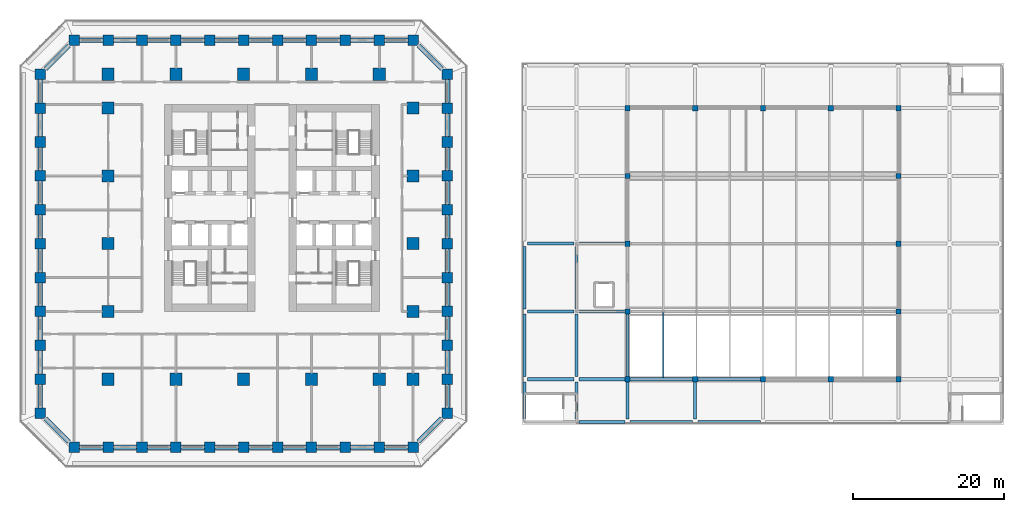
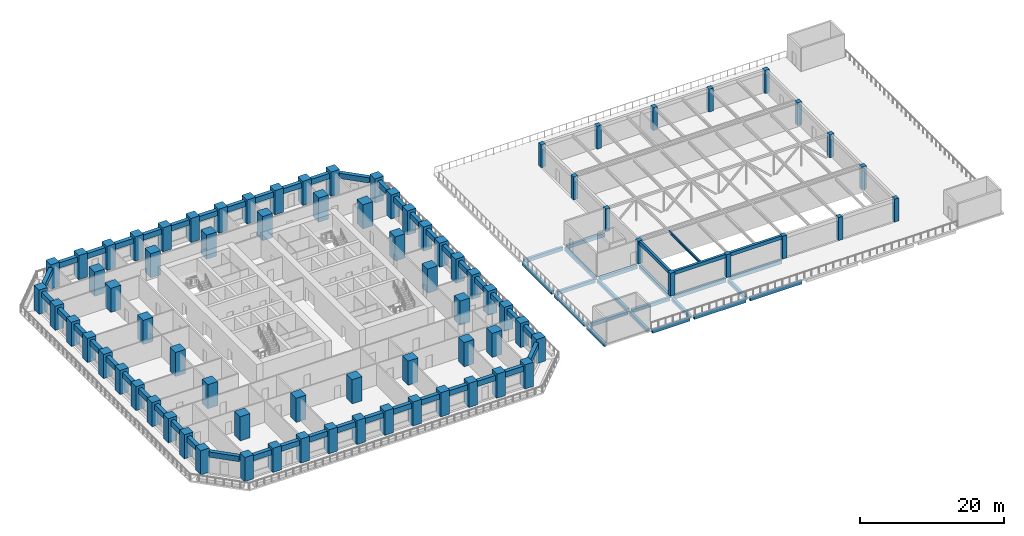
# One storey, part 1 of 30: 79 columns, 68 beams.
"""IFC4 building model written with IfcOpenShell, lengths in metres."""

from ifc_helpers import new_model, si_unit, direction, frame, origin, origin_2d, place, context, subcontext, project, spatial, rectangle, i_section, extrude, material, material_profile, profile_set, type_object, element, save


model = new_model("IFC4")

# Units and contexts
model_context = context("Model", 3, precision=1e-05, world=origin(), true_north=direction((0.0, 1.0)))
body_context = subcontext(model_context, "Body", "Model", "MODEL_VIEW")
ifc_project = project(units=[si_unit("LENGTHUNIT", "METRE"), si_unit("AREAUNIT", "SQUARE_METRE"), si_unit("VOLUMEUNIT", "CUBIC_METRE"), si_unit("PLANEANGLEUNIT", "RADIAN"), si_unit("MASSUNIT", "GRAM", prefix="KILO")], contexts=[model_context])

# Site, building, storey
site_placement = place(None, origin())
site = spatial("IfcSite", under=ifc_project, at=site_placement, CompositionType="ELEMENT")
building_placement = place(site_placement, origin())
building = spatial("IfcBuilding", under=site, at=building_placement, Name="Corbel Stack Research Tower", CompositionType="ELEMENT")
storey_placement = place(building_placement, frame((0.0, 0.0, 19.5)))
storey = spatial("IfcBuildingStorey", under=building, at=storey_placement, Name="L04", CompositionType="ELEMENT", Elevation=19.5)

# Columns
ifc_material_1 = material(Name="Concrete C70/85", Category="concrete")
ifc_material_profile_1 = material_profile(ifc_material_1, rectangle(XDim=1.39990234375, YDim=1.39990234375, at=origin_2d()), Name="RC 1400 x 1400")
ifc_profile_set_1 = profile_set([ifc_material_profile_1], Name="Concrete C70/85")
column_type_1 = type_object("IfcColumnType", Name="C-1400-70", PredefinedType="COLUMN", material=ifc_profile_set_1)
for number, where, z_axis, x_axis, name in (
    (1, (-27.0, -22.5, 0.0), (0.0, 0.0, 1.0), (1.0, 0.0, 0.0), "Column 2/C L04"),
    (2, (-27.0, -18.0, 0.0), (0.0, 0.0, 1.0), (1.0, 0.0, 0.0), "Column 2/D L04"),
    (3, (-27.0, -13.5, 0.0), (0.0, 0.0, 1.0), (1.0, 0.0, 0.0), "Column 2/E L04"),
    (4, (-27.0, -9.0, 0.0), (0.0, 0.0, 1.0), (1.0, 0.0, 0.0), "Column 2/F L04"),
    (5, (-27.0, -4.5, 0.0), (0.0, 0.0, 1.0), (1.0, 0.0, 0.0), "Column 2/G L04"),
    (6, (-27.0, 0.0, 0.0), (0.0, 0.0, 1.0), (1.0, 0.0, 0.0), "Column 2/H L04"),
    (7, (-27.0, 4.5, 0.0), (0.0, 0.0, 1.0), (1.0, 0.0, 0.0), "Column 2/J L04"),
    (8, (-27.0, 9.0, 0.0), (0.0, 0.0, 1.0), (1.0, 0.0, 0.0), "Column 2/K L04"),
    (9, (-27.0, 13.5, 0.0), (0.0, 0.0, 1.0), (1.0, 0.0, 0.0), "Column 2/L L04"),
    (10, (-27.0, 18.0, 0.0), (0.0, 0.0, 1.0), (1.0, 0.0, 0.0), "Column 2/M L04"),
    (11, (-27.0, 22.5, 0.0), (0.0, 0.0, 1.0), (1.0, 0.0, 0.0), "Column 2/N L04"),
    (12, (-22.5, -27.0, 0.0), (0.0, 0.0, 1.0), (1.0, 0.0, 0.0), "Column 3/B L04"),
    (13, (-22.5, 27.0, 0.0), (0.0, 0.0, 1.0), (1.0, 0.0, 0.0), "Column 3/P L04"),
    (14, (-18.0, -27.0, 0.0), (0.0, 0.0, 1.0), (1.0, 0.0, 0.0), "Column 4/B L04"),
    (15, (-18.0, 27.0, 0.0), (0.0, 0.0, 1.0), (1.0, 0.0, 0.0), "Column 4/P L04"),
    (16, (-13.5, -27.0, 0.0), (0.0, 0.0, 1.0), (1.0, 0.0, 0.0), "Column 5/B L04"),
    (17, (-13.5, 27.0, 0.0), (0.0, 0.0, 1.0), (1.0, 0.0, 0.0), "Column 5/P L04"),
    (18, (-9.0, -27.0, 0.0), (0.0, 0.0, 1.0), (1.0, 0.0, 0.0), "Column 6/B L04"),
    (19, (-9.0, 27.0, 0.0), (0.0, 0.0, 1.0), (1.0, 0.0, 0.0), "Column 6/P L04"),
    (20, (-4.5, -27.0, 0.0), (0.0, 0.0, 1.0), (1.0, 0.0, 0.0), "Column 7/B L04"),
    (21, (-4.5, 27.0, 0.0), (0.0, 0.0, 1.0), (1.0, 0.0, 0.0), "Column 7/P L04"),
    (22, (0.0, -27.0, 0.0), (0.0, 0.0, 1.0), (1.0, 0.0, 0.0), "Column 8/B L04"),
    (23, (0.0, 27.0, 0.0), (0.0, 0.0, 1.0), (1.0, 0.0, 0.0), "Column 8/P L04"),
    (24, (4.5, -27.0, 0.0), (0.0, 0.0, 1.0), (1.0, 0.0, 0.0), "Column 9/B L04"),
    (25, (4.5, 27.0, 0.0), (0.0, 0.0, 1.0), (1.0, 0.0, 0.0), "Column 9/P L04"),
    (26, (9.0, -27.0, 0.0), (0.0, 0.0, 1.0), (1.0, 0.0, 0.0), "Column 10/B L04"),
    (27, (9.0, 27.0, 0.0), (0.0, 0.0, 1.0), (1.0, 0.0, 0.0), "Column 10/P L04"),
    (28, (13.5, -27.0, 0.0), (0.0, 0.0, 1.0), (1.0, 0.0, 0.0), "Column 11/B L04"),
    (29, (13.5, 27.0, 0.0), (0.0, 0.0, 1.0), (1.0, 0.0, 0.0), "Column 11/P L04"),
    (30, (18.0, -27.0, 0.0), (0.0, 0.0, 1.0), (1.0, 0.0, 0.0), "Column 12/B L04"),
    (31, (18.0, 27.0, 0.0), (0.0, 0.0, 1.0), (1.0, 0.0, 0.0), "Column 12/P L04"),
    (32, (22.5, -27.0, 0.0), (0.0, 0.0, 1.0), (1.0, 0.0, 0.0), "Column 13/B L04"),
    (33, (22.5, 27.0, 0.0), (0.0, 0.0, 1.0), (1.0, 0.0, 0.0), "Column 13/P L04"),
    (34, (27.0, -22.5, 0.0), (0.0, 0.0, 1.0), (1.0, 0.0, 0.0), "Column 14/C L04"),
    (35, (27.0, -18.0, 0.0), (0.0, 0.0, 1.0), (1.0, 0.0, 0.0), "Column 14/D L04"),
    (36, (27.0, -13.5, 0.0), (0.0, 0.0, 1.0), (1.0, 0.0, 0.0), "Column 14/E L04"),
    (37, (27.0, -9.0, 0.0), (0.0, 0.0, 1.0), (1.0, 0.0, 0.0), "Column 14/F L04"),
    (38, (27.0, -4.5, 0.0), (0.0, 0.0, 1.0), (1.0, 0.0, 0.0), "Column 14/G L04"),
    (39, (27.0, 0.0, 0.0), (0.0, 0.0, 1.0), (1.0, 0.0, 0.0), "Column 14/H L04"),
    (40, (27.0, 4.5, 0.0), (0.0, 0.0, 1.0), (1.0, 0.0, 0.0), "Column 14/J L04"),
    (41, (27.0, 9.0, 0.0), (0.0, 0.0, 1.0), (1.0, 0.0, 0.0), "Column 14/K L04"),
    (42, (27.0, 13.5, 0.0), (0.0, 0.0, 1.0), (1.0, 0.0, 0.0), "Column 14/L L04"),
    (43, (27.0, 18.0, 0.0), (0.0, 0.0, 1.0), (1.0, 0.0, 0.0), "Column 14/M L04"),
    (44, (27.0, 22.5, 0.0), (0.0, 0.0, 1.0), (1.0, 0.0, 0.0), "Column 14/N L04"),
):
    element("IfcColumn", number, at=place(storey_placement, frame(where, z_axis=z_axis, x_axis=x_axis)), inside=storey, type_object=column_type_1, Name=name, PredefinedType="COLUMN", context=body_context, shape_type="SweptSolid", body=[
        extrude(rectangle(XDim=1.39990234375, YDim=1.39990234375, at=origin_2d()), origin(), (0.0, 0.0, 1.0), 4.10009765625),
    ])
ifc_material_2 = material(Name="Concrete C70/85", Category="concrete")
ifc_material_profile_2 = material_profile(ifc_material_2, rectangle(XDim=1.60009765625, YDim=1.60009765625, at=origin_2d()), Name="RC 1600 x 1600")
ifc_profile_set_2 = profile_set([ifc_material_profile_2], Name="Concrete C70/85")
column_type_2 = type_object("IfcColumnType", Name="C-1600-70", PredefinedType="COLUMN", material=ifc_profile_set_2)
for number, where, z_axis, x_axis, name in (
    (45, (-18.0, -18.0, 0.0), (0.0, 0.0, 1.0), (1.0, 0.0, 0.0), "Column 4/D L04"),
    (46, (-18.0, -9.0, 0.0), (0.0, 0.0, 1.0), (1.0, 0.0, 0.0), "Column 4/F L04"),
    (47, (-18.0, 0.0, 0.0), (0.0, 0.0, 1.0), (1.0, 0.0, 0.0), "Column 4/H L04"),
    (48, (-18.0, 9.0, 0.0), (0.0, 0.0, 1.0), (1.0, 0.0, 0.0), "Column 4/K L04"),
    (49, (-18.0, 18.0, 0.0), (0.0, 0.0, 1.0), (1.0, 0.0, 0.0), "Column 4/M L04"),
    (50, (-18.0, 22.5, 0.0), (0.0, 0.0, 1.0), (1.0, 0.0, 0.0), "Column 4/N L04"),
    (51, (-9.0, -18.0, 0.0), (0.0, 0.0, 1.0), (1.0, 0.0, 0.0), "Column 6/D L04"),
    (52, (-9.0, 22.5, 0.0), (0.0, 0.0, 1.0), (1.0, 0.0, 0.0), "Column 6/N L04"),
    (53, (0.0, -18.0, 0.0), (0.0, 0.0, 1.0), (1.0, 0.0, 0.0), "Column 8/D L04"),
    (54, (0.0, 22.5, 0.0), (0.0, 0.0, 1.0), (1.0, 0.0, 0.0), "Column 8/N L04"),
    (55, (9.0, -18.0, 0.0), (0.0, 0.0, 1.0), (1.0, 0.0, 0.0), "Column 10/D L04"),
    (56, (9.0, 22.5, 0.0), (0.0, 0.0, 1.0), (1.0, 0.0, 0.0), "Column 10/N L04"),
    (57, (18.0, -18.0, 0.0), (0.0, 0.0, 1.0), (1.0, 0.0, 0.0), "Column 12/D L04"),
    (58, (18.0, 22.5, 0.0), (0.0, 0.0, 1.0), (1.0, 0.0, 0.0), "Column 12/N L04"),
    (59, (22.5, -18.0, 0.0), (0.0, 0.0, 1.0), (1.0, 0.0, 0.0), "Column 13/D L04"),
    (60, (22.5, -9.0, 0.0), (0.0, 0.0, 1.0), (1.0, 0.0, 0.0), "Column 13/F L04"),
    (61, (22.5, 0.0, 0.0), (0.0, 0.0, 1.0), (1.0, 0.0, 0.0), "Column 13/H L04"),
    (62, (22.5, 9.0, 0.0), (0.0, 0.0, 1.0), (1.0, 0.0, 0.0), "Column 13/K L04"),
    (63, (22.5, 18.0, 0.0), (0.0, 0.0, 1.0), (1.0, 0.0, 0.0), "Column 13/M L04"),
):
    element("IfcColumn", number, at=place(storey_placement, frame(where, z_axis=z_axis, x_axis=x_axis)), inside=storey, type_object=column_type_2, Name=name, PredefinedType="COLUMN", context=body_context, shape_type="SweptSolid", body=[
        extrude(rectangle(XDim=1.60009765625, YDim=1.60009765625, at=origin_2d()), origin(), (0.0, 0.0, 1.0), 4.10009765625),
    ])
ifc_material_3 = material(Name="Concrete C50/60", Category="concrete")
ifc_material_profile_3 = material_profile(ifc_material_3, rectangle(XDim=0.699951171875, YDim=0.699951171875, at=origin_2d()), Name="RC 700 x 700")
ifc_profile_set_3 = profile_set([ifc_material_profile_3], Name="Concrete C50/60")
column_type_3 = type_object("IfcColumnType", Name="HC1 RC column 700 x 700", PredefinedType="COLUMN", material=ifc_profile_set_3)
for number, where, z_axis, x_axis, name in (
    (64, (50.949951171875, -18.0, 0.0), (0.0, 0.0, 1.0), (1.0, 0.0, 0.0), "Column H3/HB L04"),
    (65, (50.949951171875, -9.0, 0.0), (0.0, 0.0, 1.0), (1.0, 0.0, 0.0), "Column H3/HC L04"),
    (66, (50.949951171875, 0.0, 0.0), (0.0, 0.0, 1.0), (1.0, 0.0, 0.0), "Column H3/HD L04"),
    (67, (50.949951171875, 9.0, 0.0), (0.0, 0.0, 1.0), (1.0, 0.0, 0.0), "Column H3/HE L04"),
    (68, (50.949951171875, 18.0, 0.0), (0.0, 0.0, 1.0), (1.0, 0.0, 0.0), "Column H3/HF L04"),
    (69, (59.949951171875, -18.0, 0.0), (0.0, 0.0, 1.0), (1.0, 0.0, 0.0), "Column H4/HB L04"),
    (70, (59.949951171875, 18.0, 0.0), (0.0, 0.0, 1.0), (1.0, 0.0, 0.0), "Column H4/HF L04"),
    (71, (68.949951171875, -18.0, 0.0), (0.0, 0.0, 1.0), (1.0, 0.0, 0.0), "Column H5/HB L04"),
    (72, (68.949951171875, 18.0, 0.0), (0.0, 0.0, 1.0), (1.0, 0.0, 0.0), "Column H5/HF L04"),
    (73, (77.949951171875, -18.0, 0.0), (0.0, 0.0, 1.0), (1.0, 0.0, 0.0), "Column H6/HB L04"),
    (74, (77.949951171875, 18.0, 0.0), (0.0, 0.0, 1.0), (1.0, 0.0, 0.0), "Column H6/HF L04"),
    (75, (86.949951171875, -18.0, 0.0), (0.0, 0.0, 1.0), (1.0, 0.0, 0.0), "Column H7/HB L04"),
    (76, (86.949951171875, -9.0, 0.0), (0.0, 0.0, 1.0), (1.0, 0.0, 0.0), "Column H7/HC L04"),
    (77, (86.949951171875, 0.0, 0.0), (0.0, 0.0, 1.0), (1.0, 0.0, 0.0), "Column H7/HD L04"),
    (78, (86.949951171875, 9.0, 0.0), (0.0, 0.0, 1.0), (1.0, 0.0, 0.0), "Column H7/HE L04"),
    (79, (86.949951171875, 18.0, 0.0), (0.0, 0.0, 1.0), (1.0, 0.0, 0.0), "Column H7/HF L04"),
):
    element("IfcColumn", number, at=place(storey_placement, frame(where, z_axis=z_axis, x_axis=x_axis)), inside=storey, type_object=column_type_3, Name=name, PredefinedType="COLUMN", context=body_context, shape_type="SweptSolid", body=[
        extrude(rectangle(XDim=0.699951171875, YDim=0.699951171875, at=origin_2d()), origin(), (0.0, 0.0, 1.0), 3.89990234375),
    ])

# Beams
ifc_material_4 = material(Name="Concrete C40/50", Category="concrete")
ifc_material_profile_4 = material_profile(ifc_material_4, rectangle(XDim=0.39990234375, YDim=0.60009765625, at=origin_2d()), Name="RC 400 x 600")
ifc_profile_set_4 = profile_set([ifc_material_profile_4], Name="Concrete C40/50")
beam_type_1 = type_object("IfcBeamType", Name="HB1 RC beam 400 x 600", PredefinedType="BEAM", material=ifc_profile_set_4)
beam_1_placement = place(storey_placement, frame((37.300048828125, -23.300048828125, -0.550048828125), z_axis=(0.0, 1.0, 0.0), x_axis=(-1.0, 0.0, 0.0)))
element("IfcBeam", 80, at=beam_1_placement, inside=storey, type_object=beam_type_1, Name="Floor beam L04 H1HA-H1HB", PredefinedType="BEAM", context=body_context, shape_type="SweptSolid", body=[
    extrude(rectangle(XDim=0.39990234375, YDim=0.60009765625, at=origin_2d()), origin(), (0.0, 0.0, 1.0), 4.949951171875),
])
beam_2_placement = place(storey_placement, frame((37.64990234375, -18.0, -0.550048828125), z_axis=(1.0, 0.0, 0.0), x_axis=(0.0, 1.0, 0.0)))
element("IfcBeam", 81, at=beam_2_placement, inside=storey, type_object=beam_type_1, Name="Floor beam L04 H1HB-H2HB", PredefinedType="BEAM", context=body_context, shape_type="SweptSolid", body=[
    extrude(rectangle(XDim=0.39990234375, YDim=0.60009765625, at=origin_2d()), origin(), (0.0, 0.0, 1.0), 6.2001953125),
])
beam_3_placement = place(storey_placement, frame((37.300048828125, -17.64990234375, -0.550048828125), z_axis=(0.0, 1.0, 0.0), x_axis=(-1.0, 0.0, 0.0)))
element("IfcBeam", 82, at=beam_3_placement, inside=storey, type_object=beam_type_1, Name="Floor beam L04 H1HB-H1HC", PredefinedType="BEAM", context=body_context, shape_type="SweptSolid", body=[
    extrude(rectangle(XDim=0.39990234375, YDim=0.60009765625, at=origin_2d()), origin(), (0.0, 0.0, 1.0), 8.2998046875),
])
beam_4_placement = place(storey_placement, frame((37.64990234375, -9.0, -0.550048828125), z_axis=(1.0, 0.0, 0.0), x_axis=(0.0, 1.0, 0.0)))
element("IfcBeam", 83, at=beam_4_placement, inside=storey, type_object=beam_type_1, Name="Floor beam L04 H1HC-H2HC", PredefinedType="BEAM", context=body_context, shape_type="SweptSolid", body=[
    extrude(rectangle(XDim=0.39990234375, YDim=0.60009765625, at=origin_2d()), origin(), (0.0, 0.0, 1.0), 6.2001953125),
])
beam_5_placement = place(storey_placement, frame((37.300048828125, -8.64990234375, -0.550048828125), z_axis=(0.0, 1.0, 0.0), x_axis=(-1.0, 0.0, 0.0)))
element("IfcBeam", 84, at=beam_5_placement, inside=storey, type_object=beam_type_1, Name="Floor beam L04 H1HC-H1HD", PredefinedType="BEAM", context=body_context, shape_type="SweptSolid", body=[
    extrude(rectangle(XDim=0.39990234375, YDim=0.60009765625, at=origin_2d()), origin(), (0.0, 0.0, 1.0), 8.2998046875),
])
beam_6_placement = place(storey_placement, frame((37.64990234375, 0.0, -0.550048828125), z_axis=(1.0, 0.0, 0.0), x_axis=(0.0, 1.0, 0.0)))
element("IfcBeam", 85, at=beam_6_placement, inside=storey, type_object=beam_type_1, Name="Floor beam L04 H1HD-H2HD", PredefinedType="BEAM", context=body_context, shape_type="SweptSolid", body=[
    extrude(rectangle(XDim=0.39990234375, YDim=0.60009765625, at=origin_2d()), origin(), (0.0, 0.0, 1.0), 6.2001953125),
])
beam_7_placement = place(storey_placement, frame((44.550048828125, -23.64990234375, -0.550048828125), z_axis=(1.0, 0.0, 0.0), x_axis=(0.0, 1.0, 0.0)))
element("IfcBeam", 86, at=beam_7_placement, inside=storey, type_object=beam_type_1, Name="Floor beam L04 H2HA-H3HA", PredefinedType="BEAM", context=body_context, shape_type="SweptSolid", body=[
    extrude(rectangle(XDim=0.39990234375, YDim=0.60009765625, at=origin_2d()), origin(), (0.0, 0.0, 1.0), 6.050048828125),
])
beam_8_placement = place(storey_placement, frame((44.199951171875, -23.300048828125, -0.550048828125), z_axis=(0.0, 1.0, 0.0), x_axis=(-1.0, 0.0, 0.0)))
element("IfcBeam", 87, at=beam_8_placement, inside=storey, type_object=beam_type_1, Name="Floor beam L04 H2HA-H2HB", PredefinedType="BEAM", context=body_context, shape_type="SweptSolid", body=[
    extrude(rectangle(XDim=0.39990234375, YDim=0.60009765625, at=origin_2d()), origin(), (0.0, 0.0, 1.0), 4.949951171875),
])
beam_9_placement = place(storey_placement, frame((44.550048828125, -18.0, -0.550048828125), z_axis=(1.0, 0.0, 0.0), x_axis=(0.0, 1.0, 0.0)))
element("IfcBeam", 88, at=beam_9_placement, inside=storey, type_object=beam_type_1, Name="Floor beam L04 H2HB-H3HB", PredefinedType="BEAM", context=body_context, shape_type="SweptSolid", body=[
    extrude(rectangle(XDim=0.39990234375, YDim=0.60009765625, at=origin_2d()), origin(), (0.0, 0.0, 1.0), 6.050048828125),
])
beam_10_placement = place(storey_placement, frame((44.199951171875, -17.64990234375, -0.550048828125), z_axis=(0.0, 1.0, 0.0), x_axis=(-1.0, 0.0, 0.0)))
element("IfcBeam", 89, at=beam_10_placement, inside=storey, type_object=beam_type_1, Name="Floor beam L04 H2HB-H2HC", PredefinedType="BEAM", context=body_context, shape_type="SweptSolid", body=[
    extrude(rectangle(XDim=0.39990234375, YDim=0.60009765625, at=origin_2d()), origin(), (0.0, 0.0, 1.0), 8.2998046875),
])
beam_11_placement = place(storey_placement, frame((44.550048828125, -9.0, -0.550048828125), z_axis=(1.0, 0.0, 0.0), x_axis=(0.0, 1.0, 0.0)))
element("IfcBeam", 90, at=beam_11_placement, inside=storey, type_object=beam_type_1, Name="Floor beam L04 H2HC-H3HC", PredefinedType="BEAM", context=body_context, shape_type="SweptSolid", body=[
    extrude(rectangle(XDim=0.39990234375, YDim=0.60009765625, at=origin_2d()), origin(), (0.0, 0.0, 1.0), 6.050048828125),
])
beam_12_placement = place(storey_placement, frame((44.199951171875, -8.64990234375, -0.550048828125), z_axis=(0.0, 1.0, 0.0), x_axis=(-1.0, 0.0, 0.0)))
element("IfcBeam", 91, at=beam_12_placement, inside=storey, type_object=beam_type_1, Name="Floor beam L04 H2HC-H2HD", PredefinedType="BEAM", context=body_context, shape_type="SweptSolid", body=[
    extrude(rectangle(XDim=0.39990234375, YDim=0.60009765625, at=origin_2d()), origin(), (0.0, 0.0, 1.0), 8.2998046875),
])
beam_13_placement = place(storey_placement, frame((44.550048828125, 0.0, -0.550048828125), z_axis=(1.0, 0.0, 0.0), x_axis=(0.0, 1.0, 0.0)))
element("IfcBeam", 92, at=beam_13_placement, inside=storey, type_object=beam_type_1, Name="Floor beam L04 H2HD-H3HD", PredefinedType="BEAM", context=body_context, shape_type="SweptSolid", body=[
    extrude(rectangle(XDim=0.39990234375, YDim=0.60009765625, at=origin_2d()), origin(), (0.0, 0.0, 1.0), 6.050048828125),
])
beam_14_placement = place(storey_placement, frame((51.300048828125, -23.64990234375, -0.550048828125), z_axis=(1.0, 0.0, 0.0), x_axis=(0.0, 1.0, 0.0)))
element("IfcBeam", 93, at=beam_14_placement, inside=storey, type_object=beam_type_1, Name="Floor beam L04 H3HA-H4HA", PredefinedType="BEAM", context=body_context, shape_type="SweptSolid", body=[
    extrude(rectangle(XDim=0.39990234375, YDim=0.60009765625, at=origin_2d()), origin(), (0.0, 0.0, 1.0), 8.300048828125),
])
beam_15_placement = place(storey_placement, frame((50.949951171875, -23.300048828125, -0.550048828125), z_axis=(0.0, 1.0, 0.0), x_axis=(-1.0, 0.0, 0.0)))
element("IfcBeam", 94, at=beam_15_placement, inside=storey, type_object=beam_type_1, Name="Floor beam L04 H3HA-H3HB", PredefinedType="BEAM", context=body_context, shape_type="SweptSolid", body=[
    extrude(rectangle(XDim=0.39990234375, YDim=0.60009765625, at=origin_2d()), origin(), (0.0, 0.0, 1.0), 4.949951171875),
])
beam_16_placement = place(storey_placement, frame((51.300048828125, -18.0, -0.550048828125), z_axis=(1.0, 0.0, 0.0), x_axis=(0.0, 1.0, 0.0)))
element("IfcBeam", 95, at=beam_16_placement, inside=storey, type_object=beam_type_1, Name="Floor beam L04 H3HB-H4HB", PredefinedType="BEAM", context=body_context, shape_type="SweptSolid", body=[
    extrude(rectangle(XDim=0.39990234375, YDim=0.60009765625, at=origin_2d()), origin(), (0.0, 0.0, 1.0), 8.300048828125),
])
beam_17_placement = place(storey_placement, frame((50.949951171875, -17.64990234375, -0.550048828125), z_axis=(0.0, 1.0, 0.0), x_axis=(-1.0, 0.0, 0.0)))
element("IfcBeam", 96, at=beam_17_placement, inside=storey, type_object=beam_type_1, Name="Floor beam L04 H3HB-H3HC", PredefinedType="BEAM", context=body_context, shape_type="SweptSolid", body=[
    extrude(rectangle(XDim=0.39990234375, YDim=0.60009765625, at=origin_2d()), origin(), (0.0, 0.0, 1.0), 8.2998046875),
])
beam_18_placement = place(storey_placement, frame((60.300048828125, -23.64990234375, -0.550048828125), z_axis=(1.0, 0.0, 0.0), x_axis=(0.0, 1.0, 0.0)))
element("IfcBeam", 97, at=beam_18_placement, inside=storey, type_object=beam_type_1, Name="Floor beam L04 H4HA-H5HA", PredefinedType="BEAM", context=body_context, shape_type="SweptSolid", body=[
    extrude(rectangle(XDim=0.39990234375, YDim=0.60009765625, at=origin_2d()), origin(), (0.0, 0.0, 1.0), 8.300048828125),
])
beam_19_placement = place(storey_placement, frame((59.949951171875, -23.300048828125, -0.550048828125), z_axis=(0.0, 1.0, 0.0), x_axis=(-1.0, 0.0, 0.0)))
element("IfcBeam", 98, at=beam_19_placement, inside=storey, type_object=beam_type_1, Name="Floor beam L04 H4HA-H4HB", PredefinedType="BEAM", context=body_context, shape_type="SweptSolid", body=[
    extrude(rectangle(XDim=0.39990234375, YDim=0.60009765625, at=origin_2d()), origin(), (0.0, 0.0, 1.0), 4.949951171875),
])
for number, where, z_axis, x_axis, name in (
    (99, (60.300048828125, -18.0, -0.550048828125), (1.0, 0.0, 0.0), (0.0, 1.0, 0.0), "Floor beam L04 H4HB-H5HB"),
    (100, (51.300048828125, -18.0, 3.60009765625), (1.0, 0.0, 0.0), (0.0, 1.0, 0.0), "Floor beam R H3HB-H4HB"),
):
    element("IfcBeam", number, at=place(storey_placement, frame(where, z_axis=z_axis, x_axis=x_axis)), inside=storey, type_object=beam_type_1, Name=name, PredefinedType="BEAM", context=body_context, shape_type="SweptSolid", body=[
        extrude(rectangle(XDim=0.39990234375, YDim=0.60009765625, at=origin_2d()), origin(), (0.0, 0.0, 1.0), 8.300048828125),
    ])
beam_20_placement = place(storey_placement, frame((50.949951171875, -17.64990234375, 3.60009765625), z_axis=(0.0, 1.0, 0.0), x_axis=(-1.0, 0.0, 0.0)))
element("IfcBeam", 101, at=beam_20_placement, inside=storey, type_object=beam_type_1, Name="Floor beam R H3HB-H3HC", PredefinedType="BEAM", context=body_context, shape_type="SweptSolid", body=[
    extrude(rectangle(XDim=0.39990234375, YDim=0.60009765625, at=origin_2d()), origin(), (0.0, 0.0, 1.0), 8.2998046875),
])
beam_21_placement = place(storey_placement, frame((60.300048828125, -18.0, 3.60009765625), z_axis=(1.0, 0.0, 0.0), x_axis=(0.0, 1.0, 0.0)))
element("IfcBeam", 102, at=beam_21_placement, inside=storey, type_object=beam_type_1, Name="Floor beam R H4HB-H5HB", PredefinedType="BEAM", context=body_context, shape_type="SweptSolid", body=[
    extrude(rectangle(XDim=0.39990234375, YDim=0.60009765625, at=origin_2d()), origin(), (0.0, 0.0, 1.0), 8.300048828125),
])
ifc_material_5 = material(Name="Steel S355", Category="steel")
ifc_material_profile_5 = material_profile(ifc_material_5, i_section(OverallWidth=0.18994140625, OverallDepth=0.45703125, WebThickness=0.009033203125, FlangeThickness=0.013916015625, at=origin_2d()), Name="W18x50")
ifc_profile_set_5 = profile_set([ifc_material_profile_5], Name="Steel S355")
beam_type_2 = type_object("IfcBeamType", Name="HB3 steel beam W18x50", PredefinedType="BEAM", material=ifc_profile_set_5)
beam_22_placement = place(storey_placement, frame((55.71240234375, -17.800048828125, 3.67138671875), z_axis=(0.0, 1.0, 0.0), x_axis=(-1.0, 0.0, 0.0)))
element("IfcBeam", 103, at=beam_22_placement, inside=storey, type_object=beam_type_2, Name="Steel floor beam R bay 1 line 1", PredefinedType="BEAM", context=body_context, shape_type="SweptSolid", body=[
    extrude(i_section(OverallWidth=0.18994140625, OverallDepth=0.45703125, WebThickness=0.009033203125, FlangeThickness=0.013916015625, at=origin_2d()), origin(), (0.0, 0.0, 1.0), 8.6474609375),
])
ifc_material_6 = material(Name="Concrete C60/75", Category="concrete")
ifc_material_profile_6 = material_profile(ifc_material_6, rectangle(XDim=0.60009765625, YDim=0.89990234375, at=origin_2d()), Name="RC 600 x 900")
ifc_profile_set_6 = profile_set([ifc_material_profile_6], Name="Concrete C60/75")
beam_type_3 = type_object("IfcBeamType", Name="SB-600-900-450", PredefinedType="SPANDREL", material=ifc_profile_set_6)
for number, where, z_axis, x_axis, name in (
    (104, (-21.800048828125, -27.0, 3.199951171875), (1.0, 0.0, 0.0), (0.0, 1.0, 0.0), "Spandrel beam L04-01"),
    (105, (-17.300048828125, -27.0, 3.199951171875), (1.0, 0.0, 0.0), (0.0, 1.0, 0.0), "Spandrel beam L04-02"),
    (106, (-12.800048828125, -27.0, 3.199951171875), (1.0, 0.0, 0.0), (0.0, 1.0, 0.0), "Spandrel beam L04-03"),
    (107, (-8.300048828125, -27.0, 3.199951171875), (1.0, 0.0, 0.0), (0.0, 1.0, 0.0), "Spandrel beam L04-04"),
    (108, (-3.800048828125, -27.0, 3.199951171875), (1.0, 0.0, 0.0), (0.0, 1.0, 0.0), "Spandrel beam L04-05"),
    (109, (0.699951171875, -27.0, 3.199951171875), (1.0, 0.0, 0.0), (0.0, 1.0, 0.0), "Spandrel beam L04-06"),
    (110, (5.199951171875, -27.0, 3.199951171875), (1.0, 0.0, 0.0), (0.0, 1.0, 0.0), "Spandrel beam L04-07"),
    (111, (9.699951171875, -27.0, 3.199951171875), (1.0, 0.0, 0.0), (0.0, 1.0, 0.0), "Spandrel beam L04-08"),
    (112, (14.199951171875, -27.0, 3.199951171875), (1.0, 0.0, 0.0), (0.0, 1.0, 0.0), "Spandrel beam L04-09"),
    (113, (18.699951171875, -27.0, 3.199951171875), (1.0, 0.0, 0.0), (0.0, 1.0, 0.0), "Spandrel beam L04-10"),
):
    element("IfcBeam", number, at=place(storey_placement, frame(where, z_axis=z_axis, x_axis=x_axis)), inside=storey, type_object=beam_type_3, Name=name, PredefinedType="SPANDREL", context=body_context, shape_type="SweptSolid", body=[
        extrude(rectangle(XDim=0.60009765625, YDim=0.89990234375, at=origin_2d()), origin(), (0.0, 0.0, 1.0), 3.10009765625),
    ])
beam_23_placement = place(storey_placement, frame((23.199951171875, -26.300048828125, 3.199951171875), z_axis=(0.707106781187, 0.707106781187, 0.0), x_axis=(-0.707106781187, 0.707106781187, 0.0)))
element("IfcBeam", 114, at=beam_23_placement, inside=storey, type_object=beam_type_3, Name="Spandrel beam L04-11", PredefinedType="SPANDREL", context=body_context, shape_type="SweptSolid", body=[
    extrude(rectangle(XDim=0.60009765625, YDim=0.89990234375, at=origin_2d()), origin(), (0.0, 0.0, 1.0), 4.38427734375),
])
for number, where, z_axis, x_axis, name in (
    (115, (27.0, -21.800048828125, 3.199951171875), (0.0, 1.0, 0.0), (-1.0, 0.0, 0.0), "Spandrel beam L04-12"),
    (116, (27.0, -17.300048828125, 3.199951171875), (0.0, 1.0, 0.0), (-1.0, 0.0, 0.0), "Spandrel beam L04-13"),
    (117, (27.0, -12.800048828125, 3.199951171875), (0.0, 1.0, 0.0), (-1.0, 0.0, 0.0), "Spandrel beam L04-14"),
    (118, (27.0, -8.300048828125, 3.199951171875), (0.0, 1.0, 0.0), (-1.0, 0.0, 0.0), "Spandrel beam L04-15"),
    (119, (27.0, -3.800048828125, 3.199951171875), (0.0, 1.0, 0.0), (-1.0, 0.0, 0.0), "Spandrel beam L04-16"),
    (120, (27.0, 0.699951171875, 3.199951171875), (0.0, 1.0, 0.0), (-1.0, 0.0, 0.0), "Spandrel beam L04-17"),
    (121, (27.0, 5.199951171875, 3.199951171875), (0.0, 1.0, 0.0), (-1.0, 0.0, 0.0), "Spandrel beam L04-18"),
    (122, (27.0, 9.699951171875, 3.199951171875), (0.0, 1.0, 0.0), (-1.0, 0.0, 0.0), "Spandrel beam L04-19"),
    (123, (27.0, 14.199951171875, 3.199951171875), (0.0, 1.0, 0.0), (-1.0, 0.0, 0.0), "Spandrel beam L04-20"),
    (124, (27.0, 18.699951171875, 3.199951171875), (0.0, 1.0, 0.0), (-1.0, 0.0, 0.0), "Spandrel beam L04-21"),
):
    element("IfcBeam", number, at=place(storey_placement, frame(where, z_axis=z_axis, x_axis=x_axis)), inside=storey, type_object=beam_type_3, Name=name, PredefinedType="SPANDREL", context=body_context, shape_type="SweptSolid", body=[
        extrude(rectangle(XDim=0.60009765625, YDim=0.89990234375, at=origin_2d()), origin(), (0.0, 0.0, 1.0), 3.10009765625),
    ])
beam_24_placement = place(storey_placement, frame((26.300048828125, 23.199951171875, 3.199951171875), z_axis=(-0.707106781187, 0.707106781187, 0.0), x_axis=(-0.707106781187, -0.707106781187, 0.0)))
element("IfcBeam", 125, at=beam_24_placement, inside=storey, type_object=beam_type_3, Name="Spandrel beam L04-22", PredefinedType="SPANDREL", context=body_context, shape_type="SweptSolid", body=[
    extrude(rectangle(XDim=0.60009765625, YDim=0.89990234375, at=origin_2d()), origin(), (0.0, 0.0, 1.0), 4.38427734375),
])
for number, where, z_axis, x_axis, name in (
    (126, (21.800048828125, 27.0, 3.199951171875), (-1.0, 0.0, 0.0), (0.0, -1.0, 0.0), "Spandrel beam L04-23"),
    (127, (17.300048828125, 27.0, 3.199951171875), (-1.0, 0.0, 0.0), (0.0, -1.0, 0.0), "Spandrel beam L04-24"),
    (128, (12.800048828125, 27.0, 3.199951171875), (-1.0, 0.0, 0.0), (0.0, -1.0, 0.0), "Spandrel beam L04-25"),
    (129, (8.300048828125, 27.0, 3.199951171875), (-1.0, 0.0, 0.0), (0.0, -1.0, 0.0), "Spandrel beam L04-26"),
    (130, (3.800048828125, 27.0, 3.199951171875), (-1.0, 0.0, 0.0), (0.0, -1.0, 0.0), "Spandrel beam L04-27"),
    (131, (-0.699951171875, 27.0, 3.199951171875), (-1.0, 0.0, 0.0), (0.0, -1.0, 0.0), "Spandrel beam L04-28"),
    (132, (-5.199951171875, 27.0, 3.199951171875), (-1.0, 0.0, 0.0), (0.0, -1.0, 0.0), "Spandrel beam L04-29"),
    (133, (-9.699951171875, 27.0, 3.199951171875), (-1.0, 0.0, 0.0), (0.0, -1.0, 0.0), "Spandrel beam L04-30"),
    (134, (-14.199951171875, 27.0, 3.199951171875), (-1.0, 0.0, 0.0), (0.0, -1.0, 0.0), "Spandrel beam L04-31"),
    (135, (-18.699951171875, 27.0, 3.199951171875), (-1.0, 0.0, 0.0), (0.0, -1.0, 0.0), "Spandrel beam L04-32"),
):
    element("IfcBeam", number, at=place(storey_placement, frame(where, z_axis=z_axis, x_axis=x_axis)), inside=storey, type_object=beam_type_3, Name=name, PredefinedType="SPANDREL", context=body_context, shape_type="SweptSolid", body=[
        extrude(rectangle(XDim=0.60009765625, YDim=0.89990234375, at=origin_2d()), origin(), (0.0, 0.0, 1.0), 3.10009765625),
    ])
beam_25_placement = place(storey_placement, frame((-23.199951171875, 26.300048828125, 3.199951171875), z_axis=(-0.707106781187, -0.707106781187, 0.0), x_axis=(0.707106781187, -0.707106781187, 0.0)))
element("IfcBeam", 136, at=beam_25_placement, inside=storey, type_object=beam_type_3, Name="Spandrel beam L04-33", PredefinedType="SPANDREL", context=body_context, shape_type="SweptSolid", body=[
    extrude(rectangle(XDim=0.60009765625, YDim=0.89990234375, at=origin_2d()), origin(), (0.0, 0.0, 1.0), 4.38427734375),
])
for number, where, z_axis, x_axis, name in (
    (137, (-27.0, 21.800048828125, 3.199951171875), (0.0, -1.0, 0.0), (1.0, 0.0, 0.0), "Spandrel beam L04-34"),
    (138, (-27.0, 17.300048828125, 3.199951171875), (0.0, -1.0, 0.0), (1.0, 0.0, 0.0), "Spandrel beam L04-35"),
    (139, (-27.0, 12.800048828125, 3.199951171875), (0.0, -1.0, 0.0), (1.0, 0.0, 0.0), "Spandrel beam L04-36"),
    (140, (-27.0, 8.300048828125, 3.199951171875), (0.0, -1.0, 0.0), (1.0, 0.0, 0.0), "Spandrel beam L04-37"),
    (141, (-27.0, 3.800048828125, 3.199951171875), (0.0, -1.0, 0.0), (1.0, 0.0, 0.0), "Spandrel beam L04-38"),
    (142, (-27.0, -0.699951171875, 3.199951171875), (0.0, -1.0, 0.0), (1.0, 0.0, 0.0), "Spandrel beam L04-39"),
    (143, (-27.0, -5.199951171875, 3.199951171875), (0.0, -1.0, 0.0), (1.0, 0.0, 0.0), "Spandrel beam L04-40"),
    (144, (-27.0, -9.699951171875, 3.199951171875), (0.0, -1.0, 0.0), (1.0, 0.0, 0.0), "Spandrel beam L04-41"),
    (145, (-27.0, -14.199951171875, 3.199951171875), (0.0, -1.0, 0.0), (1.0, 0.0, 0.0), "Spandrel beam L04-42"),
    (146, (-27.0, -18.699951171875, 3.199951171875), (0.0, -1.0, 0.0), (1.0, 0.0, 0.0), "Spandrel beam L04-43"),
):
    element("IfcBeam", number, at=place(storey_placement, frame(where, z_axis=z_axis, x_axis=x_axis)), inside=storey, type_object=beam_type_3, Name=name, PredefinedType="SPANDREL", context=body_context, shape_type="SweptSolid", body=[
        extrude(rectangle(XDim=0.60009765625, YDim=0.89990234375, at=origin_2d()), origin(), (0.0, 0.0, 1.0), 3.10009765625),
    ])
beam_26_placement = place(storey_placement, frame((-26.300048828125, -23.199951171875, 3.199951171875), z_axis=(0.707106781187, -0.707106781187, 0.0), x_axis=(0.707106781187, 0.707106781187, 0.0)))
element("IfcBeam", 147, at=beam_26_placement, inside=storey, type_object=beam_type_3, Name="Spandrel beam L04-44", PredefinedType="SPANDREL", context=body_context, shape_type="SweptSolid", body=[
    extrude(rectangle(XDim=0.60009765625, YDim=0.89990234375, at=origin_2d()), origin(), (0.0, 0.0, 1.0), 4.38427734375),
])

save(model, "model.ifc")
